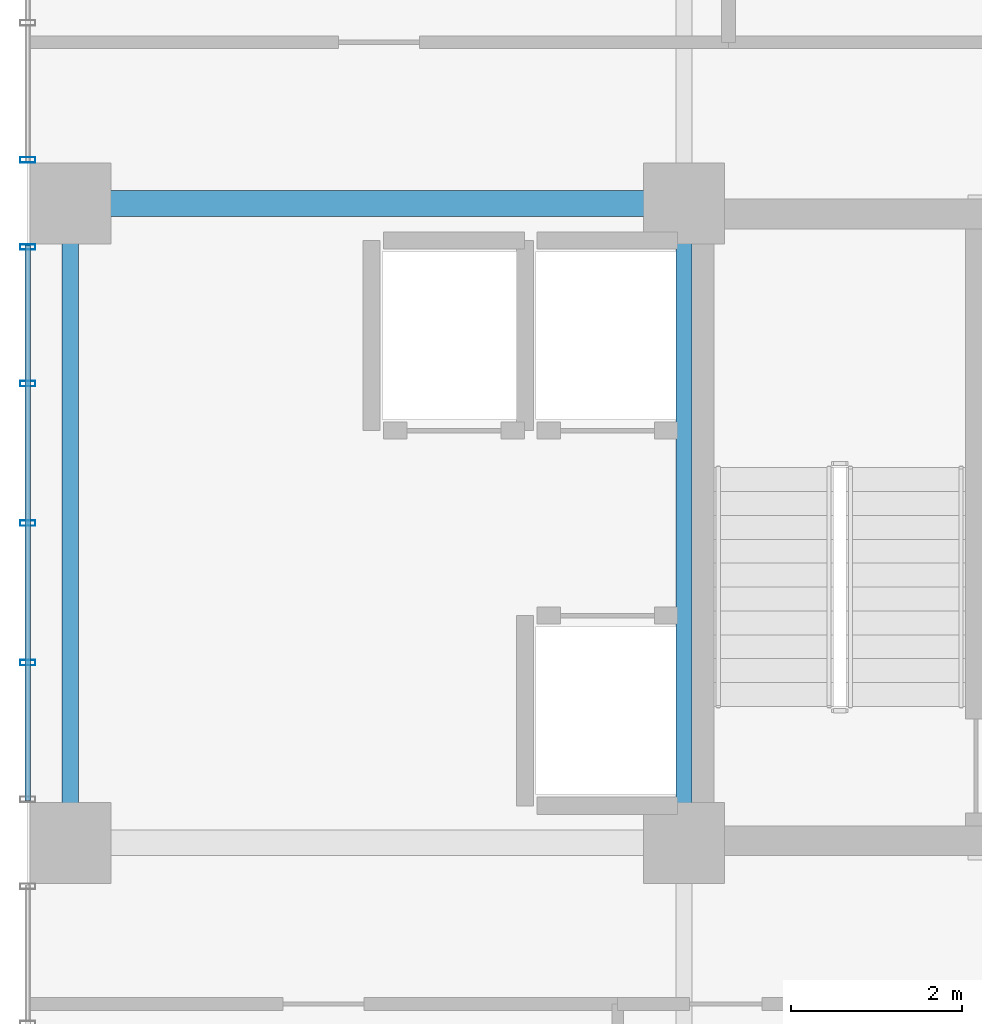
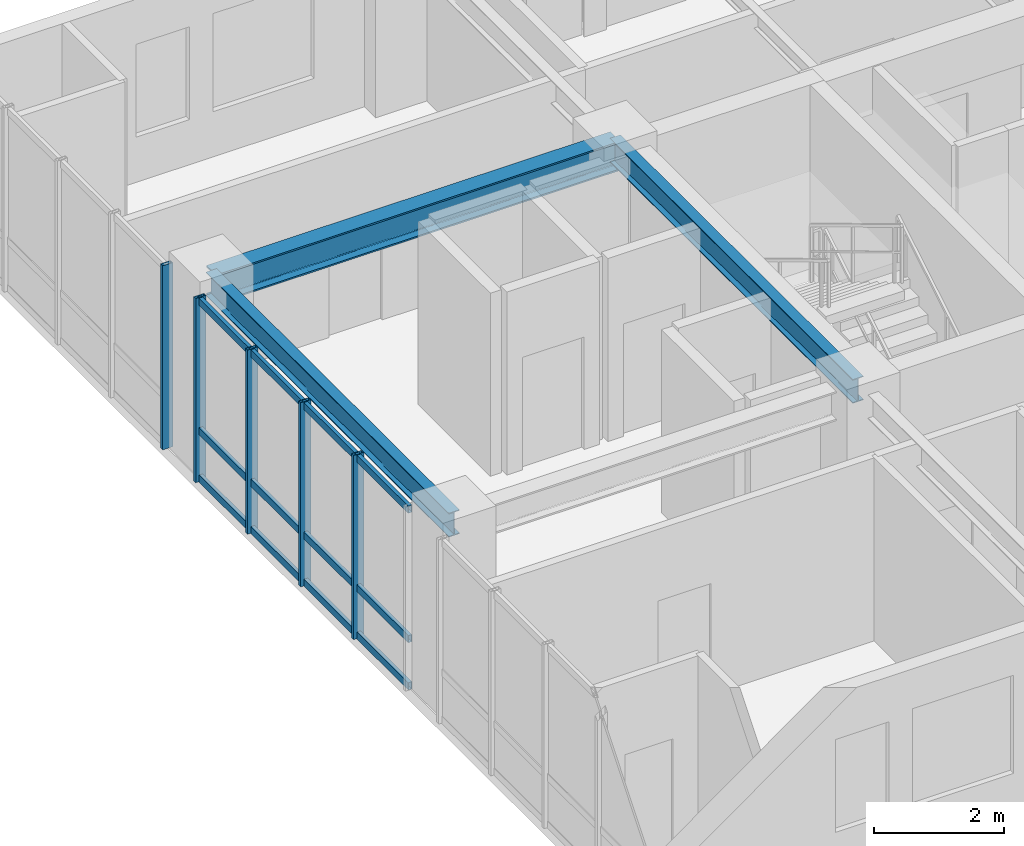
# One storey, part 8 of 20: 8 members, 3 beams, 2 elements without a shape of their own.
"""IFC4 building model written with IfcOpenShell, lengths in metres."""

import ifcopenshell
import ifcopenshell.guid

model = None  # the IFC model being written
_history = None  # IfcOwnerHistory: only IFC2X3 demands one
_inside = {}  # id of a spatial element -> (the spatial element, [elements in it])
_under = {}  # id of a project, library or spatial element -> (it, [spatial elements below it])
_declared = {}  # id of a project -> (the project, [libraries it declares])
_typed = {}  # id of a type object -> (the type object, [elements of that type])
_made_of = {}  # id of a material, layer set ... -> (it, [elements and type objects made of it])


def new_model(schema):
    """Start an empty IFC model of exactly this schema.

    Asked for "IFC4X3", IfcOpenShell would pick the latest addendum, in which some entities
    have other attributes; the version numbers below select the first issue.
    IFC2X3 requires an IfcOwnerHistory on every rooted entity: one is made here for all.
    """
    global model, _history
    if schema == "IFC4X3":
        model = ifcopenshell.file(schema_version=(4, 3, 0, 0))
    else:
        model = ifcopenshell.file(schema=schema)
    _inside.clear()
    _under.clear()
    _declared.clear()
    _typed.clear()
    _made_of.clear()
    _history = None
    if model.schema == "IFC2X3":
        org = make("IfcOrganization", Name="unknown")
        user = make(
            "IfcPersonAndOrganization",
            ThePerson=make("IfcPerson", FamilyName="unknown"),
            TheOrganization=org,
        )
        app = make(
            "IfcApplication",
            ApplicationDeveloper=org,
            Version="unknown",
            ApplicationFullName="unknown",
            ApplicationIdentifier="unknown",
        )
        _history = make(
            "IfcOwnerHistory",
            OwningUser=user,
            OwningApplication=app,
            ChangeAction="ADDED",
            CreationDate=0,
        )
    return model


def make(cls, **values):
    """One entity of the class cls with the attributes given. An attribute that is None is left unset."""
    return model.create_entity(
        cls, **{name: value for name, value in values.items() if value is not None}
    )


def rooted(cls, **values):
    """An entity with a GlobalId (a new one), such as an element, a storey or a relation."""
    return make(cls, GlobalId=ifcopenshell.guid.new(), OwnerHistory=_history, **values)


def si_unit(unit_type, name, prefix=None):
    """IfcSIUnit, for example si_unit("LENGTHUNIT", "METRE", prefix="MILLI")."""
    return make("IfcSIUnit", UnitType=unit_type, Prefix=prefix, Name=name)


def assignment(units):
    """IfcUnitAssignment: the units of a project."""
    return None if units is None else make("IfcUnitAssignment", Units=units)


def point(xyz):
    """IfcCartesianPoint."""
    return None if xyz is None else make("IfcCartesianPoint", Coordinates=xyz)


def direction(xyz):
    """IfcDirection."""
    return None if xyz is None else make("IfcDirection", DirectionRatios=xyz)


def frame(location, z_axis=None, x_axis=None):
    """IfcAxis2Placement3D, a coordinate frame: its origin and axes. An axis left out is left unset."""
    return make(
        "IfcAxis2Placement3D",
        Location=point(location),
        Axis=direction(z_axis),
        RefDirection=direction(x_axis),
    )


def frame_2d(location, x_axis=None):
    """IfcAxis2Placement2D, a coordinate frame in the plane: its origin and x axis."""
    return make(
        "IfcAxis2Placement2D", Location=point(location), RefDirection=direction(x_axis)
    )


def origin():
    """The frame at (0, 0, 0) with its axes left unset."""
    return frame((0.0, 0.0, 0.0))


def origin_2d():
    """The frame at (0, 0) in the plane with its x axis left unset."""
    return frame_2d((0.0, 0.0))


def place(relative_to, where):
    """IfcLocalPlacement: puts the frame where relative to a parent placement (None: the world)."""
    return make(
        "IfcLocalPlacement", PlacementRelTo=relative_to, RelativePlacement=where
    )


def context(
    kind, dimensions, precision=None, world=None, true_north=None, identifier=None
):
    """IfcGeometricRepresentationContext, for example the 3D "Model" context."""
    return make(
        "IfcGeometricRepresentationContext",
        ContextIdentifier=identifier,
        ContextType=kind,
        CoordinateSpaceDimension=dimensions,
        Precision=precision,
        WorldCoordinateSystem=world,
        TrueNorth=true_north,
    )


def subcontext(parent, identifier, kind, view, scale=None):
    """IfcGeometricRepresentationSubContext, for example "Body" below "Model"."""
    return make(
        "IfcGeometricRepresentationSubContext",
        ContextIdentifier=identifier,
        ContextType=kind,
        ParentContext=parent,
        TargetScale=scale,
        TargetView=view,
    )


def project(units=None, contexts=None):
    """IfcProject with its units and contexts."""
    return rooted(
        "IfcProject",
        Name="project",
        RepresentationContexts=contexts,
        UnitsInContext=assignment(units),
    )


def spatial(cls, under=None, at=None, **own):
    """A site, building, storey or space (cls), placed at a placement, below another one or the project."""
    s = rooted(cls, ObjectPlacement=at, **own)
    if under is not None:
        _under.setdefault(under.id(), (under, []))[1].append(s)
    return s


def profile(cls, at=None, kind="AREA", **sizes):
    """A parametric profile (cls). Its sizes go by their IFC names, for example OverallWidth=200.0."""
    return make(cls, ProfileType=kind, Position=at, **sizes)


def hollow_rectangle(**sizes):
    """IfcRectangleHollowProfileDef."""
    return profile("IfcRectangleHollowProfileDef", **sizes)


def i_section(**sizes):
    """IfcIShapeProfileDef."""
    return profile("IfcIShapeProfileDef", **sizes)


def extrude(swept, where, along, depth):
    """IfcExtrudedAreaSolid: the profile swept, set in the frame where, extruded along a direction by depth."""
    return make(
        "IfcExtrudedAreaSolid",
        SweptArea=swept,
        Position=where,
        ExtrudedDirection=direction(along),
        Depth=depth,
    )


def shape(context_of_items, identifier, shape_type, items):
    """IfcShapeRepresentation: the items that make up one representation, for example the "Body"."""
    return make(
        "IfcShapeRepresentation",
        ContextOfItems=context_of_items,
        RepresentationIdentifier=identifier,
        RepresentationType=shape_type,
        Items=items,
    )


def source(mapping_origin, context_of_items, identifier, shape_type, items):
    """IfcRepresentationMap: a shape defined once, which mapped items show again and again."""
    return make(
        "IfcRepresentationMap",
        MappingOrigin=mapping_origin,
        MappedRepresentation=shape(context_of_items, identifier, shape_type, items),
    )


def transform(
    local_origin,
    x_axis=None,
    y_axis=None,
    z_axis=None,
    scale=None,
    scale2=None,
    scale3=None,
    uniform=True,
):
    """IfcCartesianTransformationOperator3D, or its non-uniform kind. x_axis, y_axis, z_axis: its Axis1, 2, 3."""
    if uniform:
        return make(
            "IfcCartesianTransformationOperator3D",
            Axis1=direction(x_axis),
            Axis2=direction(y_axis),
            LocalOrigin=point(local_origin),
            Scale=scale,
            Axis3=direction(z_axis),
        )
    return make(
        "IfcCartesianTransformationOperator3DnonUniform",
        Axis1=direction(x_axis),
        Axis2=direction(y_axis),
        LocalOrigin=point(local_origin),
        Scale=scale,
        Axis3=direction(z_axis),
        Scale2=scale2,
        Scale3=scale3,
    )


def mapped(mapping_source, mapping_target):
    """IfcMappedItem: shows the shape of a source again, moved by a transform."""
    return make(
        "IfcMappedItem", MappingSource=mapping_source, MappingTarget=mapping_target
    )


def material(Name=None, Category=None):
    """IfcMaterial."""
    return make("IfcMaterial", Name=Name, Category=Category)


def layer(
    of_material, thickness, ventilated=None, Name=None, Category=None, Priority=None
):
    """IfcMaterialLayer: one layer of a wall or slab, of a material (None: an air gap)."""
    return make(
        "IfcMaterialLayer",
        Material=of_material,
        LayerThickness=thickness,
        IsVentilated=ventilated,
        Name=Name,
        Category=Category,
        Priority=Priority,
    )


def layer_set(layers, Name=None):
    """IfcMaterialLayerSet."""
    return make("IfcMaterialLayerSet", MaterialLayers=layers, LayerSetName=Name)


def material_profile(
    of_material, cross_section, Name=None, Category=None, Priority=None
):
    """IfcMaterialProfile: a cross section and its material."""
    return make(
        "IfcMaterialProfile",
        Name=Name,
        Material=of_material,
        Profile=cross_section,
        Priority=Priority,
        Category=Category,
    )


def profile_set(profiles, Name=None, composite=None):
    """IfcMaterialProfileSet."""
    return make(
        "IfcMaterialProfileSet",
        Name=Name,
        MaterialProfiles=profiles,
        CompositeProfile=composite,
    )


def made_of(thing, what):
    """Note that an element or type object is made of a material, layer set ...; save() writes the relation."""
    if what is not None:
        _made_of.setdefault(what.id(), (what, []))[1].append(thing)
    return thing


def type_object(cls, material=None, **own):
    """A type object (cls), such as IfcWallType, which elements share."""
    return made_of(rooted(cls, **own), material)


def element(
    cls,
    number,
    at=None,
    inside=None,
    cuts=None,
    type_object=None,
    material=None,
    context=None,
    identifier="Body",
    shape_type=None,
    held_by="IfcProductDefinitionShape",
    body=None,
    shapes=None,
    **own,
):
    """One element of the class cls, such as IfcWall. Its Tag is "e" and its number.

    at: its placement. inside: the storey or other place that contains it. cuts: it is an
    opening in that element (IfcRelVoidsElement). A single representation is given by context,
    identifier, shape_type and body (its items); several are given by shapes. held_by: the class
    of the entity that holds the representations. save() writes the other relations.
    """
    e = rooted(cls, Tag="e%d" % number, ObjectPlacement=at, **own)
    if body is not None:
        shapes = [shape(context, identifier, shape_type, body)]
    if shapes is not None:
        e.Representation = make(held_by, Representations=shapes)
    if inside is not None:
        _inside.setdefault(inside.id(), (inside, []))[1].append(e)
    if cuts is not None:
        rooted(
            "IfcRelVoidsElement", RelatingBuildingElement=cuts, RelatedOpeningElement=e
        )
    if type_object is not None:
        _typed.setdefault(type_object.id(), (type_object, []))[1].append(e)
    return made_of(e, material)


def aggregate(whole, parts):
    """IfcRelAggregates: a whole, such as a stair, and the parts it consists of."""
    return rooted("IfcRelAggregates", RelatingObject=whole, RelatedObjects=parts)


def save(model, path):
    """Write the relations noted so far, then the file.

    IfcRelAggregates (storeys below a building ...), IfcRelContainedInSpatialStructure (elements
    in a storey), IfcRelDefinesByType, IfcRelAssociatesMaterial and IfcRelDeclares: one each for
    every whole, place, type object, material and project.
    """
    for whole, parts in _under.values():
        aggregate(whole, parts)
    for where, things in _inside.values():
        rooted(
            "IfcRelContainedInSpatialStructure",
            RelatedElements=things,
            RelatingStructure=where,
        )
    for kind, things in _typed.values():
        rooted("IfcRelDefinesByType", RelatedObjects=things, RelatingType=kind)
    for what, things in _made_of.values():
        rooted("IfcRelAssociatesMaterial", RelatedObjects=things, RelatingMaterial=what)
    for by, libraries in _declared.values():
        rooted("IfcRelDeclares", RelatingContext=by, RelatedDefinitions=libraries)
    model.write(path)


model = new_model("IFC4")

# Units and contexts
model_context = context("Model", 3, precision=1e-05, world=origin(), true_north=direction((0.0, 1.0)))
body_context = subcontext(model_context, "Body", "Model", "MODEL_VIEW")
ifc_project = project(units=[si_unit("LENGTHUNIT", "METRE"), si_unit("AREAUNIT", "SQUARE_METRE"), si_unit("VOLUMEUNIT", "CUBIC_METRE"), si_unit("PLANEANGLEUNIT", "RADIAN"), si_unit("MASSUNIT", "GRAM", prefix="KILO")], contexts=[model_context])

# Site, building, storey
site_placement = place(None, origin())
site = spatial("IfcSite", under=ifc_project, at=site_placement, CompositionType="ELEMENT")
building_placement = place(site_placement, origin())
building = spatial("IfcBuilding", under=site, at=building_placement, Name="Kaliganga Portal Commons", CompositionType="ELEMENT")
storey_placement = place(building_placement, frame((0.0, 0.0, 216.60009765625)))
storey = spatial("IfcBuildingStorey", under=building, at=storey_placement, Name="L55", CompositionType="ELEMENT", Elevation=216.60009765625)

# Beams
ifc_material_1 = material(Name="Structural steel S355J2", Category="steel")
ifc_material_profile_1 = material_profile(ifc_material_1, i_section(OverallWidth=0.18994140625, OverallDepth=0.449951171875, WebThickness=0.009521484375, FlangeThickness=0.0146484375, FilletRadius=0.02099609375, at=origin_2d()), Name="IPE 450")
ifc_profile_set_1 = profile_set([ifc_material_profile_1], Name="Structural steel S355J2 wide-flange")
beam_type_1 = type_object("IfcBeamType", Name="BM-FLR-450", PredefinedType="BEAM", material=ifc_profile_set_1)
shared_shape_1 = source(origin(), body_context, "Body", "SweptSolid", [
    extrude(i_section(OverallWidth=0.18994140625, OverallDepth=0.449951171875, WebThickness=0.009521484375, FlangeThickness=0.0146484375, FilletRadius=0.02099609375, at=origin_2d()), origin(), (0.0, 0.0, 1.0), 7.5),
])
for number, where, z_axis, x_axis, name in (
    (1, (7.199951171875, 28.64990234375, 3.244873046875), (0.0, 1.0, 0.0), (-1.0, 0.0, 0.0), "BM G L55 AW72"),
    (2, (14.39990234375, 28.64990234375, 3.244873046875), (0.0, 1.0, 0.0), (-1.0, 0.0, 0.0), "BM G L55 AM144"),
):
    element("IfcBeam", number, at=place(storey_placement, frame(where, z_axis=z_axis, x_axis=x_axis)), inside=storey, type_object=beam_type_1, Name=name, PredefinedType="BEAM", context=body_context, shape_type="MappedRepresentation", body=[
        mapped(shared_shape_1, transform((0.0, 0.0, 0.0), x_axis=(1.0, 0.0, 0.0), y_axis=(0.0, 1.0, 0.0), z_axis=(0.0, 0.0, 1.0), scale=1.0)),
    ])
ifc_material_profile_2 = material_profile(ifc_material_1, i_section(OverallWidth=0.300048828125, OverallDepth=0.550048828125, WebThickness=0.014892578125, FlangeThickness=0.029052734375, FilletRadius=0.027099609375, at=origin_2d()), Name="HE 550 B")
ifc_profile_set_2 = profile_set([ifc_material_profile_2], Name="Structural steel S355J2 wide-flange")
beam_type_2 = type_object("IfcBeamType", Name="BM-GIRD-550", PredefinedType="USERDEFINED", material=ifc_profile_set_2)
shared_shape_2 = source(origin(), body_context, "Body", "SweptSolid", [
    extrude(i_section(OverallWidth=0.300048828125, OverallDepth=0.550048828125, WebThickness=0.014892578125, FlangeThickness=0.029052734375, FilletRadius=0.027099609375, at=origin_2d()), origin(), (0.0, 0.0, 1.0), 7.199951171875),
])
beam_placement = place(storey_placement, frame((7.199951171875, 36.14990234375, 3.19482421875), z_axis=(1.0, 0.0, 0.0), x_axis=(0.0, 1.0, 0.0)))
element("IfcBeam", 3, at=beam_placement, inside=storey, type_object=beam_type_2, Name="BM G L55 WAH_N 1", ObjectType="GIRDER", PredefinedType="USERDEFINED", context=body_context, shape_type="MappedRepresentation", body=[
    mapped(shared_shape_2, transform((0.0, 0.0, 0.0), x_axis=(1.0, 0.0, 0.0), y_axis=(0.0, 1.0, 0.0), z_axis=(0.0, 0.0, 1.0), scale=1.0)),
])

# Curtain wall, member
ifc_material_2 = material(Name="Anodized Aluminium and Laminated Low-E Glass", Category="aluminium")
ifc_layer = layer(ifc_material_2, 0.199951171875)
ifc_layer_set = layer_set([ifc_layer], Name="Anodized Aluminium and Laminated Low-E Glass")
curtain_wall_type = type_object("IfcCurtainWallType", Name="CW-SYS-02", PredefinedType="NOTDEFINED", material=ifc_layer_set)
curtain_wall_1_placement = place(storey_placement, origin())
curtain_wall_1 = element("IfcCurtainWall", 4, at=curtain_wall_1_placement, inside=storey, type_object=curtain_wall_type, Name="CW 02 L55 P1E03S1", PredefinedType="NOTDEFINED")
ifc_material_3 = material(Name="Dark Bronze Anodized Aluminium", Category="aluminium")
ifc_material_profile_3 = material_profile(ifc_material_3, hollow_rectangle(XDim=0.06494140625, YDim=0.179931640625, WallThickness=0.00390625, at=origin_2d()), Name="ALU MULL 65x180x4")
ifc_profile_set_3 = profile_set([ifc_material_profile_3], Name="Dark Bronze Anodized Aluminium")
member_type_1 = type_object("IfcMemberType", Name="CW-MUL-180", PredefinedType="MULLION", material=ifc_profile_set_3)
shared_shape_3 = source(origin(), body_context, "Body", "SweptSolid", [
    extrude(hollow_rectangle(XDim=0.06494140625, YDim=0.179931640625, WallThickness=0.00390625, at=origin_2d()), origin(), (0.0, 0.0, 1.0), 3.469970703125),
])
member_1_placement = place(storey_placement, frame((6.699951171875, 36.660888671875, 0.0), z_axis=(0.0, 0.0, 1.0), x_axis=(0.0, -1.0, 0.0)))
member_1 = element("IfcMember", 5, at=member_1_placement, type_object=member_type_1, Name="CW:02:L55:P1E03S1 Mullion 04", PredefinedType="MULLION", context=body_context, shape_type="MappedRepresentation", body=[
    mapped(shared_shape_3, transform((0.0, 0.0, 0.0), x_axis=(1.0, 0.0, 0.0), y_axis=(0.0, 1.0, 0.0), z_axis=(0.0, 0.0, 1.0), scale=1.0)),
])
aggregate(curtain_wall_1, [member_1])

# Curtain wall, members
curtain_wall_2_placement = place(storey_placement, origin())
curtain_wall_2 = element("IfcCurtainWall", 6, at=curtain_wall_2_placement, inside=storey, type_object=curtain_wall_type, Name="CW 02 L55 P1E03S2", PredefinedType="NOTDEFINED")
member_2_placement = place(storey_placement, frame((6.699951171875, 35.638916015625, 0.0), z_axis=(0.0, 0.0, 1.0), x_axis=(0.0, -1.0, 0.0)))
member_2 = element("IfcMember", 7, at=member_2_placement, type_object=member_type_1, Name="CW:02:L55:P1E03S2 Mullion 00", PredefinedType="MULLION", context=body_context, shape_type="MappedRepresentation", body=[
    mapped(shared_shape_3, transform((0.0, 0.0, 0.0), x_axis=(1.0, 0.0, 0.0), y_axis=(0.0, 1.0, 0.0), z_axis=(0.0, 0.0, 1.0), scale=1.0)),
])
member_3_placement = place(storey_placement, frame((6.699951171875, 34.037109375, 0.0), z_axis=(0.0, 0.0, 1.0), x_axis=(0.0, -1.0, 0.0)))
member_3 = element("IfcMember", 8, at=member_3_placement, type_object=member_type_1, Name="CW:02:L55:P1E03S2 Mullion 01", PredefinedType="MULLION", context=body_context, shape_type="MappedRepresentation", body=[
    mapped(shared_shape_3, transform((0.0, 0.0, 0.0), x_axis=(1.0, 0.0, 0.0), y_axis=(0.0, 1.0, 0.0), z_axis=(0.0, 0.0, 1.0), scale=1.0)),
])
member_4_placement = place(storey_placement, frame((6.699951171875, 32.39990234375, 0.0), z_axis=(0.0, 0.0, 1.0), x_axis=(0.0, -1.0, 0.0)))
member_4 = element("IfcMember", 9, at=member_4_placement, type_object=member_type_1, Name="CW:02:L55:P1E03S2 Mullion 02", PredefinedType="MULLION", context=body_context, shape_type="MappedRepresentation", body=[
    mapped(shared_shape_3, transform((0.0, 0.0, 0.0), x_axis=(1.0, 0.0, 0.0), y_axis=(0.0, 1.0, 0.0), z_axis=(0.0, 0.0, 1.0), scale=1.0)),
])
member_5_placement = place(storey_placement, frame((6.699951171875, 30.762939453125, 0.0), z_axis=(0.0, 0.0, 1.0), x_axis=(0.0, -1.0, 0.0)))
member_5 = element("IfcMember", 10, at=member_5_placement, type_object=member_type_1, Name="CW:02:L55:P1E03S2 Mullion 03", PredefinedType="MULLION", context=body_context, shape_type="MappedRepresentation", body=[
    mapped(shared_shape_3, transform((0.0, 0.0, 0.0), x_axis=(1.0, 0.0, 0.0), y_axis=(0.0, 1.0, 0.0), z_axis=(0.0, 0.0, 1.0), scale=1.0)),
])
ifc_material_profile_4 = material_profile(ifc_material_3, hollow_rectangle(XDim=0.06494140625, YDim=0.135009765625, WallThickness=0.00341796875, at=origin_2d()), Name="ALU TRAN 65x135x3.5")
ifc_profile_set_4 = profile_set([ifc_material_profile_4], Name="Dark Bronze Anodized Aluminium")
member_type_2 = type_object("IfcMemberType", Name="CW-TRN-135", PredefinedType="USERDEFINED", material=ifc_profile_set_4)
shared_shape_4 = source(origin(), body_context, "Body", "SweptSolid", [
    extrude(hollow_rectangle(XDim=0.06494140625, YDim=0.135009765625, WallThickness=0.00341796875, at=origin_2d()), origin(), (0.0, 0.0, 1.0), 6.508056640625),
])
member_6_placement = place(storey_placement, frame((6.699951171875, 35.654052734375, 0.059814453125), z_axis=(0.0, -1.0, 0.0), x_axis=(1.0, 0.0, 0.0)))
member_6 = element("IfcMember", 11, at=member_6_placement, type_object=member_type_2, Name="CW:02:L55:P1E03S2 Transom 1", ObjectType="TRANSOM", PredefinedType="USERDEFINED", context=body_context, shape_type="MappedRepresentation", body=[
    mapped(shared_shape_4, transform((0.0, 0.0, 0.0), x_axis=(1.0, 0.0, 0.0), y_axis=(0.0, 1.0, 0.0), z_axis=(0.0, 0.0, 1.0), scale=1.0)),
])
member_7_placement = place(storey_placement, frame((6.699951171875, 35.654052734375, 0.949951171875), z_axis=(0.0, -1.0, 0.0), x_axis=(1.0, 0.0, 0.0)))
member_7 = element("IfcMember", 12, at=member_7_placement, type_object=member_type_2, Name="CW:02:L55:P1E03S2 Transom 2", ObjectType="TRANSOM", PredefinedType="USERDEFINED", context=body_context, shape_type="MappedRepresentation", body=[
    mapped(shared_shape_4, transform((0.0, 0.0, 0.0), x_axis=(1.0, 0.0, 0.0), y_axis=(0.0, 1.0, 0.0), z_axis=(0.0, 0.0, 1.0), scale=1.0)),
])
member_8_placement = place(storey_placement, frame((6.699951171875, 35.654052734375, 3.389892578125), z_axis=(0.0, -1.0, 0.0), x_axis=(1.0, 0.0, 0.0)))
member_8 = element("IfcMember", 13, at=member_8_placement, type_object=member_type_2, Name="CW:02:L55:P1E03S2 Transom 3", ObjectType="TRANSOM", PredefinedType="USERDEFINED", context=body_context, shape_type="MappedRepresentation", body=[
    mapped(shared_shape_4, transform((0.0, 0.0, 0.0), x_axis=(1.0, 0.0, 0.0), y_axis=(0.0, 1.0, 0.0), z_axis=(0.0, 0.0, 1.0), scale=1.0)),
])
aggregate(curtain_wall_2, [member_2, member_3, member_4, member_5, member_6, member_7, member_8])

save(model, "model.ifc")
